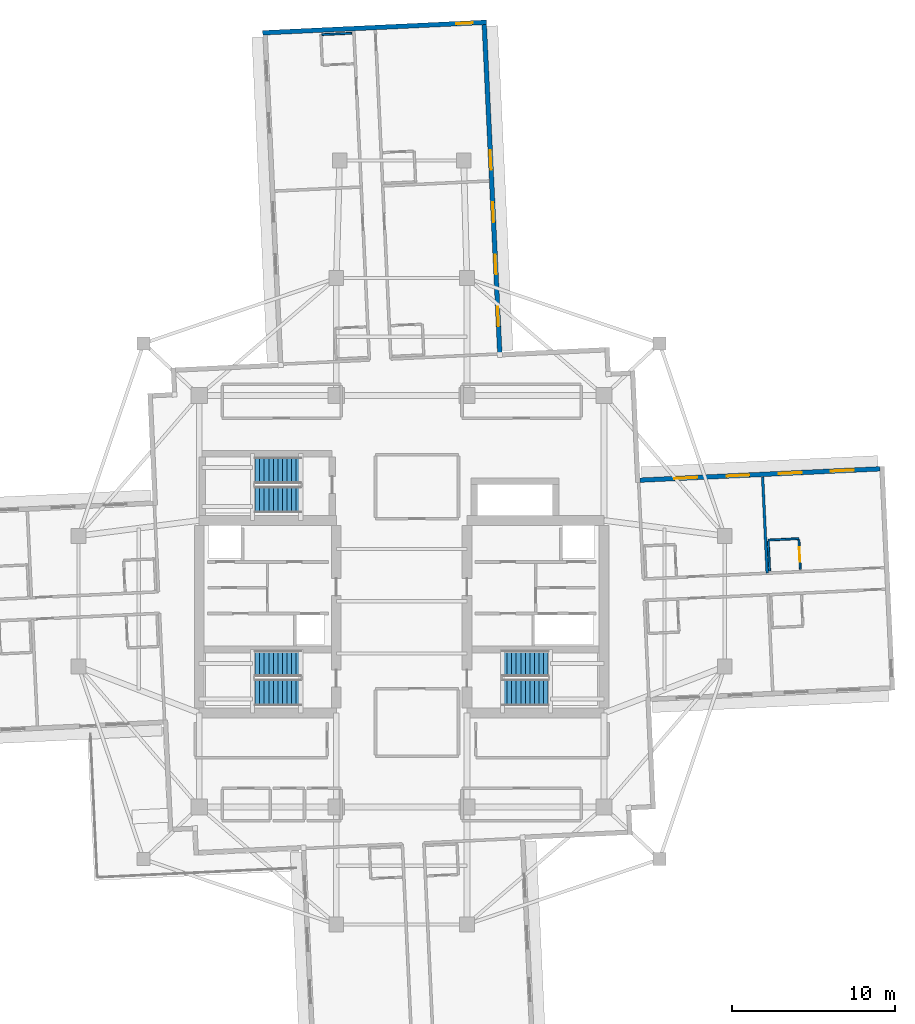
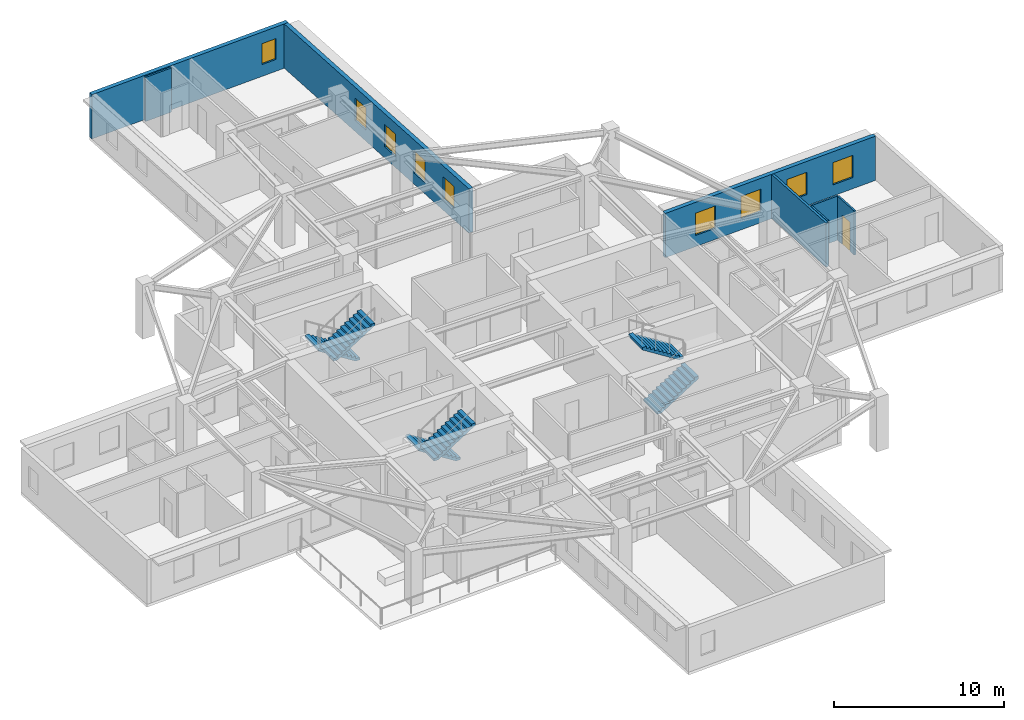
# One storey, part 8 of 12: 9 windows, 8 walls, 6 stair flights, 1 door, 10 openings, 3 elements without a shape of their own.
"""IFC4 building model written with IfcOpenShell, lengths in metres."""

from ifc_helpers import new_model, si_unit, direction, frame, frame_2d, origin, place, context, subcontext, project, spatial, polyline, rectangle, outline, extrude, material, layer, layer_set, type_object, element, fill, aggregate, save


model = new_model("IFC4")

# Units and contexts
model_context = context("Model", 3, precision=1e-05, world=origin(), true_north=direction((0.0, 1.0)))
body_context = subcontext(model_context, "Body", "Model", "MODEL_VIEW")
ifc_project = project(units=[si_unit("LENGTHUNIT", "METRE"), si_unit("AREAUNIT", "SQUARE_METRE"), si_unit("VOLUMEUNIT", "CUBIC_METRE"), si_unit("PLANEANGLEUNIT", "RADIAN"), si_unit("MASSUNIT", "GRAM", prefix="KILO")], contexts=[model_context])

# Site, building, storey
site_placement = place(None, origin())
site = spatial("IfcSite", under=ifc_project, at=site_placement, CompositionType="ELEMENT")
building_placement = place(site_placement, origin())
building = spatial("IfcBuilding", under=site, at=building_placement, Name="Qingluan Cross Belvedere", CompositionType="ELEMENT")
storey_placement = place(building_placement, frame((0.0, 0.0, 213.0)))
storey = spatial("IfcBuildingStorey", under=building, at=storey_placement, Name="L53", CompositionType="ELEMENT", Elevation=213.0)

# Wall
ifc_material_1 = material(Name="Gypsum plasterboard on steel stud acoustic partition", Category="steel")
ifc_layer_1 = layer(ifc_material_1, 0.159912109375, Name="CorridorPartition_160")
ifc_layer_set_1 = layer_set([ifc_layer_1], Name="Gypsum plasterboard on steel stud acoustic partition")
wall_type_1 = type_object("IfcWallType", Name="CorridorPartition_160", PredefinedType="PARTITIONING", material=ifc_layer_set_1)
wall_1_placement = place(storey_placement, frame((22.389892578125, 1.716552734375, 0.0), z_axis=(0.0, 0.0, 1.0), x_axis=(-0.047076607604, 0.99889128188, 0.0)))
element("IfcWall", 1, at=wall_1_placement, inside=storey, type_object=wall_type_1, Name="Partition L53:E:d0_0", PredefinedType="PARTITIONING", context=body_context, shape_type="SweptSolid", body=[
    extrude(rectangle(XDim=5.912109375, YDim=0.159912109375, at=frame_2d((2.9560546875, 0.0))), origin(), (0.0, 0.0, 1.0), 3.169921875),
])

# Wall, opening, door
ifc_material_2 = material(Name="Moisture-resistant gypsum board lining")
ifc_layer_2 = layer(ifc_material_2, 0.1201171875, Name="EnsuiteWetPartition_120")
ifc_layer_set_2 = layer_set([ifc_layer_2], Name="Moisture-resistant gypsum board lining")
wall_type_2 = type_object("IfcWallType", Name="EnsuiteWetPartition_120", PredefinedType="PARTITIONING", material=ifc_layer_set_2)
wall_2_placement = place(storey_placement, frame((24.421142578125, 1.95263671875, 0.0), z_axis=(0.0, 0.0, 1.0), x_axis=(-0.047087116047, 0.998890786574, 0.0)))
wall_2 = element("IfcWall", 2, at=wall_2_placement, inside=storey, type_object=wall_type_2, Name="Partition L53:E:bs0_1", PredefinedType="PARTITIONING", context=body_context, shape_type="SweptSolid", body=[
    extrude(rectangle(XDim=1.81982421875, YDim=0.1201171875, at=frame_2d((0.909912109375, 0.0))), origin(), (0.0, 0.0, 1.0), 3.169921875),
])
opening_1_placement = place(wall_2_placement, frame((0.469970703125, 0.0, 0.0)))
opening_1 = element("IfcOpeningElement", 3, at=opening_1_placement, cuts=wall_2, Name="Opening BD-09", PredefinedType="OPENING", context=body_context, shape_type="SweptSolid", body=[
    extrude(rectangle(XDim=0.8798828125, YDim=2.10009765625, at=frame_2d((0.43994140625, 1.050048828125))), frame((0.0, 0.070068359375, 0.0), z_axis=(0.0, -1.0, 0.0), x_axis=(1.0, 0.0, 0.0)), (0.0, 0.0, 1.0), 0.14013671875),
])
ifc_material_3 = material(Name="Moisture-sealed timber en-suite door", Category="wood")
door_type = type_object("IfcDoorType", Name="BathroomDoor_880", OperationType="NOTDEFINED", PredefinedType="DOOR", material=ifc_material_3)
door_placement = place(opening_1_placement, origin())
door = element("IfcDoor", 4, at=door_placement, inside=storey, type_object=door_type, Name="Bathroom door 5302", OperationType="SINGLE_SWING_LEFT", OverallHeight=2.10009765625, OverallWidth=0.8798828125, PredefinedType="DOOR", context=body_context, shape_type="SweptSolid", body=[
    extrude(rectangle(XDim=0.8798828125, YDim=2.10009765625, at=frame_2d((0.43994140625, 1.050048828125))), frame((0.0, 0.02490234375, 0.0), z_axis=(0.0, -1.0, 0.0), x_axis=(1.0, 0.0, 0.0)), (0.0, 0.0, 1.0), 0.050048828125),
])
fill(opening_1, door)

# Walls
wall_3_placement = place(storey_placement, frame((22.543212890625, 1.864013671875, 0.0), z_axis=(0.0, 0.0, 1.0), x_axis=(-0.047087116047, 0.998890786574, 0.0)))
element("IfcWall", 5, at=wall_3_placement, inside=storey, type_object=wall_type_2, Name="Partition L53:E:bw0_1", PredefinedType="PARTITIONING", context=body_context, shape_type="SweptSolid", body=[
    extrude(rectangle(XDim=1.81982421875, YDim=0.1201171875, at=frame_2d((0.909912109375, 0.0))), origin(), (0.0, 0.0, 1.0), 3.169921875),
])
wall_4_placement = place(storey_placement, frame((22.454345703125, 3.746826171875, 0.0), z_axis=(0.0, 0.0, 1.0), x_axis=(0.998888319371, 0.047139425368, 0.0)))
element("IfcWall", 6, at=wall_4_placement, inside=storey, type_object=wall_type_2, Name="Partition L53:E:bn0_1", PredefinedType="PARTITIONING", context=body_context, shape_type="SweptSolid", body=[
    extrude(rectangle(XDim=1.880126953125, YDim=0.1201171875, at=frame_2d((0.93994140625, 0.0))), origin(), (0.0, 0.0, 1.0), 3.169921875),
])
wall_5_placement = place(storey_placement, frame((-4.88037109375, 34.70849609375, 0.0), z_axis=(0.0, 0.0, 1.0), x_axis=(0.998884467853, 0.047220968666, 0.0)))
element("IfcWall", 7, at=wall_5_placement, inside=storey, type_object=wall_type_2, Name="Partition L53:N:bw1_1", PredefinedType="PARTITIONING", context=body_context, shape_type="SweptSolid", body=[
    extrude(rectangle(XDim=1.81982421875, YDim=0.1201171875, at=frame_2d((0.909912109375, 0.0))), origin(), (0.0, 0.0, 1.0), 3.169921875),
])

# Wall, openings, windows
ifc_material_4 = material(Name="Precast concrete C45", Category="concrete")
ifc_layer_3 = layer(ifc_material_4, 0.280029296875, Name="PrecastFacadeWall_280")
ifc_layer_set_3 = layer_set([ifc_layer_3], Name="Precast concrete C45")
wall_type_3 = type_object("IfcWallType", Name="PrecastFacadeWall_280", PredefinedType="STANDARD", material=ifc_layer_set_3)
wall_6_placement = place(storey_placement, frame((29.29052734375, 8.10888671875, 0.0), z_axis=(0.0, 0.0, 1.0), x_axis=(-0.998889342735, -0.047117735191, 0.0)))
wall_6 = element("IfcWall", 8, at=wall_6_placement, inside=storey, type_object=wall_type_3, Name="Facade wall L53-EB", PredefinedType="STANDARD", context=body_context, shape_type="SweptSolid", body=[
    extrude(rectangle(XDim=14.699951171875, YDim=0.280029296875, at=frame_2d((7.35009765625, 0.0))), origin(), (0.0, 0.0, 1.0), 3.179931640625),
])
opening_2_placement = place(wall_6_placement, frame((1.60009765625, 0.0, 0.800048828125)))
opening_2 = element("IfcOpeningElement", 9, at=opening_2_placement, cuts=wall_6, Name="Opening W-01", PredefinedType="OPENING", context=body_context, shape_type="SweptSolid", body=[
    extrude(rectangle(XDim=1.39990234375, YDim=1.60009765625, at=frame_2d((0.699951171875, 0.800048828125))), frame((0.0, 0.14990234375, 0.0), z_axis=(0.0, -1.0, 0.0), x_axis=(1.0, 0.0, 0.0)), (0.0, 0.0, 1.0), 0.300048828125),
])
opening_3_placement = place(wall_6_placement, frame((4.800048828125, 0.0, 0.800048828125)))
opening_3 = element("IfcOpeningElement", 10, at=opening_3_placement, cuts=wall_6, Name="Opening W-01", PredefinedType="OPENING", context=body_context, shape_type="SweptSolid", body=[
    extrude(rectangle(XDim=1.39990234375, YDim=1.60009765625, at=frame_2d((0.699951171875, 0.800048828125))), frame((0.0, 0.14990234375, 0.0), z_axis=(0.0, -1.0, 0.0), x_axis=(1.0, 0.0, 0.0)), (0.0, 0.0, 1.0), 0.300048828125),
])
opening_4_placement = place(wall_6_placement, frame((8.0, 0.0, 0.800048828125)))
opening_4 = element("IfcOpeningElement", 11, at=opening_4_placement, cuts=wall_6, Name="Opening W-01", PredefinedType="OPENING", context=body_context, shape_type="SweptSolid", body=[
    extrude(rectangle(XDim=1.39990234375, YDim=1.60009765625, at=frame_2d((0.699951171875, 0.800048828125))), frame((0.0, 0.14990234375, 0.0), z_axis=(0.0, -1.0, 0.0), x_axis=(1.0, 0.0, 0.0)), (0.0, 0.0, 1.0), 0.300048828125),
])
opening_5_placement = place(wall_6_placement, frame((11.199951171875, 0.0, 0.800048828125)))
opening_5 = element("IfcOpeningElement", 12, at=opening_5_placement, cuts=wall_6, Name="Opening W-01", PredefinedType="OPENING", context=body_context, shape_type="SweptSolid", body=[
    extrude(rectangle(XDim=1.39990234375, YDim=1.60009765625, at=frame_2d((0.699951171875, 0.800048828125))), frame((0.0, 0.14990234375, 0.0), z_axis=(0.0, -1.0, 0.0), x_axis=(1.0, 0.0, 0.0)), (0.0, 0.0, 1.0), 0.300048828125),
])
ifc_material_5 = material(Name="Thermally broken triple Low-E glass in aluminium frame", Category="aluminium")
window_type_1 = type_object("IfcWindowType", Name="TriRibbonWin_1400x1600", PartitioningType="SINGLE_PANEL", PredefinedType="WINDOW", material=ifc_material_5)
window_1_placement = place(opening_2_placement, origin())
window_1 = element("IfcWindow", 13, at=window_1_placement, inside=storey, type_object=window_type_1, Name="Ribbon window L53-EB-1", OverallHeight=1.60009765625, OverallWidth=1.39990234375, PartitioningType="SINGLE_PANEL", PredefinedType="WINDOW", context=body_context, shape_type="SweptSolid", body=[
    extrude(rectangle(XDim=1.39990234375, YDim=1.60009765625, at=frame_2d((0.699951171875, 0.800048828125))), frame((0.0, 0.030029296875, 0.0), z_axis=(0.0, -1.0, 0.0), x_axis=(1.0, 0.0, 0.0)), (0.0, 0.0, 1.0), 0.06005859375),
])
fill(opening_2, window_1)
window_2_placement = place(opening_3_placement, origin())
window_2 = element("IfcWindow", 14, at=window_2_placement, inside=storey, type_object=window_type_1, Name="Ribbon window L53-EB-2", OverallHeight=1.60009765625, OverallWidth=1.39990234375, PartitioningType="SINGLE_PANEL", PredefinedType="WINDOW", context=body_context, shape_type="SweptSolid", body=[
    extrude(rectangle(XDim=1.39990234375, YDim=1.60009765625, at=frame_2d((0.699951171875, 0.800048828125))), frame((0.0, 0.030029296875, 0.0), z_axis=(0.0, -1.0, 0.0), x_axis=(1.0, 0.0, 0.0)), (0.0, 0.0, 1.0), 0.06005859375),
])
fill(opening_3, window_2)
window_3_placement = place(opening_4_placement, origin())
window_3 = element("IfcWindow", 15, at=window_3_placement, inside=storey, type_object=window_type_1, Name="Ribbon window L53-EB-3", OverallHeight=1.60009765625, OverallWidth=1.39990234375, PartitioningType="SINGLE_PANEL", PredefinedType="WINDOW", context=body_context, shape_type="SweptSolid", body=[
    extrude(rectangle(XDim=1.39990234375, YDim=1.60009765625, at=frame_2d((0.699951171875, 0.800048828125))), frame((0.0, 0.030029296875, 0.0), z_axis=(0.0, -1.0, 0.0), x_axis=(1.0, 0.0, 0.0)), (0.0, 0.0, 1.0), 0.06005859375),
])
fill(opening_4, window_3)
window_4_placement = place(opening_5_placement, origin())
window_4 = element("IfcWindow", 16, at=window_4_placement, inside=storey, type_object=window_type_1, Name="Ribbon window L53-EB-4", OverallHeight=1.60009765625, OverallWidth=1.39990234375, PartitioningType="SINGLE_PANEL", PredefinedType="WINDOW", context=body_context, shape_type="SweptSolid", body=[
    extrude(rectangle(XDim=1.39990234375, YDim=1.60009765625, at=frame_2d((0.699951171875, 0.800048828125))), frame((0.0, 0.030029296875, 0.0), z_axis=(0.0, -1.0, 0.0), x_axis=(1.0, 0.0, 0.0)), (0.0, 0.0, 1.0), 0.06005859375),
])
fill(opening_5, window_4)

wall_7_placement = place(storey_placement, frame((6.0087890625, 15.239990234375, 0.0), z_axis=(0.0, 0.0, 1.0), x_axis=(-0.047103473814, 0.998890015344, 0.0)))
wall_7 = element("IfcWall", 17, at=wall_7_placement, inside=storey, type_object=wall_type_3, Name="Facade wall L53-NA", PredefinedType="STANDARD", context=body_context, shape_type="SweptSolid", body=[
    extrude(rectangle(XDim=20.099853515625, YDim=0.280029296875, at=frame_2d((10.0498046875, 0.0))), origin(), (0.0, 0.0, 1.0), 3.179931640625),
])
opening_6_placement = place(wall_7_placement, frame((1.60009765625, 0.0, 0.800048828125)))
opening_6 = element("IfcOpeningElement", 18, at=opening_6_placement, cuts=wall_7, Name="Opening W-02", PredefinedType="OPENING", context=body_context, shape_type="SweptSolid", body=[
    extrude(rectangle(XDim=1.199951171875, YDim=1.60009765625, at=frame_2d((0.60009765625, 0.800048828125))), frame((0.0, 0.14990234375, 0.0), z_axis=(0.0, -1.0, 0.0), x_axis=(1.0, 0.0, 0.0)), (0.0, 0.0, 1.0), 0.300048828125),
])
opening_7_placement = place(wall_7_placement, frame((4.800048828125, 0.0, 0.800048828125)))
opening_7 = element("IfcOpeningElement", 19, at=opening_7_placement, cuts=wall_7, Name="Opening W-02", PredefinedType="OPENING", context=body_context, shape_type="SweptSolid", body=[
    extrude(rectangle(XDim=1.199951171875, YDim=1.60009765625, at=frame_2d((0.60009765625, 0.800048828125))), frame((0.0, 0.14990234375, 0.0), z_axis=(0.0, -1.0, 0.0), x_axis=(1.0, 0.0, 0.0)), (0.0, 0.0, 1.0), 0.300048828125),
])
opening_8_placement = place(wall_7_placement, frame((8.0, 0.0, 0.800048828125)))
opening_8 = element("IfcOpeningElement", 20, at=opening_8_placement, cuts=wall_7, Name="Opening W-02", PredefinedType="OPENING", context=body_context, shape_type="SweptSolid", body=[
    extrude(rectangle(XDim=1.199951171875, YDim=1.60009765625, at=frame_2d((0.60009765625, 0.800048828125))), frame((0.0, 0.14990234375, 0.0), z_axis=(0.0, -1.0, 0.0), x_axis=(1.0, 0.0, 0.0)), (0.0, 0.0, 1.0), 0.300048828125),
])
opening_9_placement = place(wall_7_placement, frame((11.199951171875, 0.0, 0.800048828125)))
opening_9 = element("IfcOpeningElement", 21, at=opening_9_placement, cuts=wall_7, Name="Opening W-02", PredefinedType="OPENING", context=body_context, shape_type="SweptSolid", body=[
    extrude(rectangle(XDim=1.199951171875, YDim=1.60009765625, at=frame_2d((0.60009765625, 0.800048828125))), frame((0.0, 0.14990234375, 0.0), z_axis=(0.0, -1.0, 0.0), x_axis=(1.0, 0.0, 0.0)), (0.0, 0.0, 1.0), 0.300048828125),
])
ifc_material_6 = material(Name="Thermally broken triple Low-E glass in aluminium frame", Category="aluminium")
window_type_2 = type_object("IfcWindowType", Name="TriRibbonWin_1200x1600", PartitioningType="SINGLE_PANEL", PredefinedType="WINDOW", material=ifc_material_6)
window_5_placement = place(opening_6_placement, origin())
window_5 = element("IfcWindow", 22, at=window_5_placement, inside=storey, type_object=window_type_2, Name="Ribbon window L53-NA-1", OverallHeight=1.60009765625, OverallWidth=1.199951171875, PartitioningType="SINGLE_PANEL", PredefinedType="WINDOW", context=body_context, shape_type="SweptSolid", body=[
    extrude(rectangle(XDim=1.199951171875, YDim=1.60009765625, at=frame_2d((0.60009765625, 0.800048828125))), frame((0.0, 0.030029296875, 0.0), z_axis=(0.0, -1.0, 0.0), x_axis=(1.0, 0.0, 0.0)), (0.0, 0.0, 1.0), 0.06005859375),
])
fill(opening_6, window_5)
window_6_placement = place(opening_7_placement, origin())
window_6 = element("IfcWindow", 23, at=window_6_placement, inside=storey, type_object=window_type_2, Name="Ribbon window L53-NA-2", OverallHeight=1.60009765625, OverallWidth=1.199951171875, PartitioningType="SINGLE_PANEL", PredefinedType="WINDOW", context=body_context, shape_type="SweptSolid", body=[
    extrude(rectangle(XDim=1.199951171875, YDim=1.60009765625, at=frame_2d((0.60009765625, 0.800048828125))), frame((0.0, 0.030029296875, 0.0), z_axis=(0.0, -1.0, 0.0), x_axis=(1.0, 0.0, 0.0)), (0.0, 0.0, 1.0), 0.06005859375),
])
fill(opening_7, window_6)
window_7_placement = place(opening_8_placement, origin())
window_7 = element("IfcWindow", 24, at=window_7_placement, inside=storey, type_object=window_type_2, Name="Ribbon window L53-NA-3", OverallHeight=1.60009765625, OverallWidth=1.199951171875, PartitioningType="SINGLE_PANEL", PredefinedType="WINDOW", context=body_context, shape_type="SweptSolid", body=[
    extrude(rectangle(XDim=1.199951171875, YDim=1.60009765625, at=frame_2d((0.60009765625, 0.800048828125))), frame((0.0, 0.030029296875, 0.0), z_axis=(0.0, -1.0, 0.0), x_axis=(1.0, 0.0, 0.0)), (0.0, 0.0, 1.0), 0.06005859375),
])
fill(opening_8, window_7)
window_8_placement = place(opening_9_placement, origin())
window_8 = element("IfcWindow", 25, at=window_8_placement, inside=storey, type_object=window_type_2, Name="Ribbon window L53-NA-4", OverallHeight=1.60009765625, OverallWidth=1.199951171875, PartitioningType="SINGLE_PANEL", PredefinedType="WINDOW", context=body_context, shape_type="SweptSolid", body=[
    extrude(rectangle(XDim=1.199951171875, YDim=1.60009765625, at=frame_2d((0.60009765625, 0.800048828125))), frame((0.0, 0.030029296875, 0.0), z_axis=(0.0, -1.0, 0.0), x_axis=(1.0, 0.0, 0.0)), (0.0, 0.0, 1.0), 0.06005859375),
])
fill(opening_9, window_8)

# Wall, opening, window
wall_8_placement = place(storey_placement, frame((5.1953125, 35.464111328125, 0.0), z_axis=(0.0, 0.0, 1.0), x_axis=(-0.998890092147, -0.047101845086, 0.0)))
wall_8 = element("IfcWall", 26, at=wall_8_placement, inside=storey, type_object=wall_type_3, Name="Arm tip precast facade wall L53-N", PredefinedType="STANDARD", context=body_context, shape_type="SweptSolid", body=[
    extrude(rectangle(XDim=13.719970703125, YDim=0.280029296875, at=frame_2d((6.85986328125, 0.0))), origin(), (0.0, 0.0, 1.0), 3.179931640625),
])
opening_10_placement = place(wall_8_placement, frame((0.85009765625, 0.0, 0.85009765625)))
opening_10 = element("IfcOpeningElement", 27, at=opening_10_placement, cuts=wall_8, Name="Opening W-03", PredefinedType="OPENING", context=body_context, shape_type="SweptSolid", body=[
    extrude(rectangle(XDim=1.0, YDim=1.5, at=frame_2d((0.5, 0.75))), frame((0.0, 0.14990234375, 0.0), z_axis=(0.0, -1.0, 0.0), x_axis=(1.0, 0.0, 0.0)), (0.0, 0.0, 1.0), 0.300048828125),
])
ifc_material_7 = material(Name="Thermally broken triple Low-E glass in aluminium frame", Category="aluminium")
window_type_3 = type_object("IfcWindowType", Name="TriApexWin_1000x1500", PartitioningType="SINGLE_PANEL", PredefinedType="WINDOW", material=ifc_material_7)
window_9_placement = place(opening_10_placement, origin())
window_9 = element("IfcWindow", 28, at=window_9_placement, inside=storey, type_object=window_type_3, Name="Arm tip triangular window L53-N", OverallHeight=1.5, OverallWidth=1.0, PartitioningType="SINGLE_PANEL", PredefinedType="WINDOW", context=body_context, shape_type="SweptSolid", body=[
    extrude(rectangle(XDim=1.0, YDim=1.5, at=frame_2d((0.5, 0.75))), frame((0.0, 0.030029296875, 0.0), z_axis=(0.0, -1.0, 0.0), x_axis=(1.0, 0.0, 0.0)), (0.0, 0.0, 1.0), 0.06005859375),
])
fill(opening_10, window_9)

# Stair, stair flights
ifc_material_8 = material(Name="Concrete C40", Category="concrete")
stair_type = type_object("IfcStairType", Name="CoreDoglegStair_1620", PredefinedType="HALF_TURN_STAIR", material=ifc_material_8)
stair_1_placement = place(storey_placement, origin())
stair_1 = element("IfcStair", 29, at=stair_1_placement, inside=storey, type_object=stair_type, Name="L53 ST1", PredefinedType="HALF_TURN_STAIR")
ifc_material_9 = material(Name="Concrete C40", Category="concrete")
ifc_layer_4 = layer(ifc_material_9, 0.179931640625, Name="StairFlight_RC180")
ifc_layer_set_4 = layer_set([ifc_layer_4], Name="Concrete C40")
stair_flight_type = type_object("IfcStairFlightType", Name="StairFlight_RC180", PredefinedType="STRAIGHT", material=ifc_layer_set_4)
stair_flight_1_placement = place(storey_placement, frame((-6.179931640625, -3.81005859375, 0.0), z_axis=(0.0, 0.0, 1.0), x_axis=(-1.0, 0.0, 0.0)))
stair_flight_1 = element("IfcStairFlight", 30, at=stair_flight_1_placement, type_object=stair_flight_type, Name="ST1 flight 1", NumberOfRisers=11, NumberOfTreads=10, PredefinedType="STRAIGHT", RiserHeight=0.177272727, TreadLength=0.28, context=body_context, shape_type="SweptSolid", body=[
    extrude(outline(polyline([(0.0, 0.0), (0.0, 0.17724609375), (0.280029296875, 0.17724609375), (0.280029296875, 0.3544921875), (0.56005859375, 0.3544921875), (0.56005859375, 0.53173828125), (0.840087890625, 0.53173828125), (0.840087890625, 0.708984375), (1.1201171875, 0.708984375), (1.1201171875, 0.886474609375), (1.39990234375, 0.886474609375), (1.39990234375, 1.063720703125), (1.679931640625, 1.063720703125), (1.679931640625, 1.240966796875), (1.9599609375, 1.240966796875), (1.9599609375, 1.418212890625), (2.239990234375, 1.418212890625), (2.239990234375, 1.595458984375), (2.52001953125, 1.595458984375), (2.52001953125, 1.772705078125), (2.800048828125, 1.772705078125), (2.800048828125, 1.949951171875), (2.800048828125, 1.59521484375), (0.2802734375, 0.0), (0.0, 0.0)])), frame((0.0, 0.81005859375, 0.0), z_axis=(0.0, -1.0, 0.0), x_axis=(1.0, 0.0, 0.0)), (0.0, 0.0, 1.0), 1.6201171875),
])
stair_flight_2_placement = place(storey_placement, frame((-8.97998046875, -5.590087890625, 1.949951171875), z_axis=(0.0, 0.0, 1.0), x_axis=(1.0, 0.0, 0.0)))
stair_flight_2 = element("IfcStairFlight", 31, at=stair_flight_2_placement, type_object=stair_flight_type, Name="ST1 flight 2", NumberOfRisers=11, NumberOfTreads=10, PredefinedType="STRAIGHT", RiserHeight=0.177272727, TreadLength=0.28, context=body_context, shape_type="SweptSolid", body=[
    extrude(outline(polyline([(0.0, 0.0), (0.0, 0.17724609375), (0.280029296875, 0.17724609375), (0.280029296875, 0.3544921875), (0.56005859375, 0.3544921875), (0.56005859375, 0.53173828125), (0.840087890625, 0.53173828125), (0.840087890625, 0.708984375), (1.1201171875, 0.708984375), (1.1201171875, 0.886474609375), (1.39990234375, 0.886474609375), (1.39990234375, 1.063720703125), (1.679931640625, 1.063720703125), (1.679931640625, 1.240966796875), (1.9599609375, 1.240966796875), (1.9599609375, 1.418212890625), (2.239990234375, 1.418212890625), (2.239990234375, 1.595458984375), (2.52001953125, 1.595458984375), (2.52001953125, 1.772705078125), (2.800048828125, 1.772705078125), (2.800048828125, 1.949951171875), (2.800048828125, 1.59521484375), (0.2802734375, 0.0), (0.0, 0.0)])), frame((0.0, 0.81005859375, 0.0), z_axis=(0.0, -1.0, 0.0), x_axis=(1.0, 0.0, 0.0)), (0.0, 0.0, 1.0), 1.6201171875),
])
aggregate(stair_1, [stair_flight_1, stair_flight_2])

stair_2_placement = place(storey_placement, origin())
stair_2 = element("IfcStair", 32, at=stair_2_placement, inside=storey, type_object=stair_type, Name="L53 ST2", PredefinedType="HALF_TURN_STAIR")
stair_flight_3_placement = place(storey_placement, frame((6.179931640625, -5.590087890625, 0.0), z_axis=(0.0, 0.0, 1.0), x_axis=(1.0, 0.0, 0.0)))
stair_flight_3 = element("IfcStairFlight", 33, at=stair_flight_3_placement, type_object=stair_flight_type, Name="ST2 flight 1", NumberOfRisers=11, NumberOfTreads=10, PredefinedType="STRAIGHT", RiserHeight=0.177272727, TreadLength=0.28, context=body_context, shape_type="SweptSolid", body=[
    extrude(outline(polyline([(0.0, 0.0), (0.0, 0.17724609375), (0.280029296875, 0.17724609375), (0.280029296875, 0.3544921875), (0.56005859375, 0.3544921875), (0.56005859375, 0.53173828125), (0.840087890625, 0.53173828125), (0.840087890625, 0.708984375), (1.1201171875, 0.708984375), (1.1201171875, 0.886474609375), (1.39990234375, 0.886474609375), (1.39990234375, 1.063720703125), (1.679931640625, 1.063720703125), (1.679931640625, 1.240966796875), (1.9599609375, 1.240966796875), (1.9599609375, 1.418212890625), (2.239990234375, 1.418212890625), (2.239990234375, 1.595458984375), (2.52001953125, 1.595458984375), (2.52001953125, 1.772705078125), (2.800048828125, 1.772705078125), (2.800048828125, 1.949951171875), (2.800048828125, 1.59521484375), (0.2802734375, 0.0), (0.0, 0.0)])), frame((0.0, 0.81005859375, 0.0), z_axis=(0.0, -1.0, 0.0), x_axis=(1.0, 0.0, 0.0)), (0.0, 0.0, 1.0), 1.6201171875),
])
stair_flight_4_placement = place(storey_placement, frame((8.97998046875, -3.81005859375, 1.949951171875), z_axis=(0.0, 0.0, 1.0), x_axis=(-1.0, 0.0, 0.0)))
stair_flight_4 = element("IfcStairFlight", 34, at=stair_flight_4_placement, type_object=stair_flight_type, Name="ST2 flight 2", NumberOfRisers=11, NumberOfTreads=10, PredefinedType="STRAIGHT", RiserHeight=0.177272727, TreadLength=0.28, context=body_context, shape_type="SweptSolid", body=[
    extrude(outline(polyline([(0.0, 0.0), (0.0, 0.17724609375), (0.280029296875, 0.17724609375), (0.280029296875, 0.3544921875), (0.56005859375, 0.3544921875), (0.56005859375, 0.53173828125), (0.840087890625, 0.53173828125), (0.840087890625, 0.708984375), (1.1201171875, 0.708984375), (1.1201171875, 0.886474609375), (1.39990234375, 0.886474609375), (1.39990234375, 1.063720703125), (1.679931640625, 1.063720703125), (1.679931640625, 1.240966796875), (1.9599609375, 1.240966796875), (1.9599609375, 1.418212890625), (2.239990234375, 1.418212890625), (2.239990234375, 1.595458984375), (2.52001953125, 1.595458984375), (2.52001953125, 1.772705078125), (2.800048828125, 1.772705078125), (2.800048828125, 1.949951171875), (2.800048828125, 1.59521484375), (0.2802734375, 0.0), (0.0, 0.0)])), frame((0.0, 0.81005859375, 0.0), z_axis=(0.0, -1.0, 0.0), x_axis=(1.0, 0.0, 0.0)), (0.0, 0.0, 1.0), 1.6201171875),
])
aggregate(stair_2, [stair_flight_3, stair_flight_4])

stair_3_placement = place(storey_placement, origin())
stair_3 = element("IfcStair", 35, at=stair_3_placement, inside=storey, type_object=stair_type, Name="L53 ST3", PredefinedType="HALF_TURN_STAIR")
stair_flight_5_placement = place(storey_placement, frame((-6.179931640625, 8.010009765625, 0.0), z_axis=(0.0, 0.0, 1.0), x_axis=(-1.0, 0.0, 0.0)))
stair_flight_5 = element("IfcStairFlight", 36, at=stair_flight_5_placement, type_object=stair_flight_type, Name="ST3 flight 1", NumberOfRisers=11, NumberOfTreads=10, PredefinedType="STRAIGHT", RiserHeight=0.177272727, TreadLength=0.28, context=body_context, shape_type="SweptSolid", body=[
    extrude(outline(polyline([(0.0, 0.0), (0.0, 0.17724609375), (0.280029296875, 0.17724609375), (0.280029296875, 0.3544921875), (0.56005859375, 0.3544921875), (0.56005859375, 0.53173828125), (0.840087890625, 0.53173828125), (0.840087890625, 0.708984375), (1.1201171875, 0.708984375), (1.1201171875, 0.886474609375), (1.39990234375, 0.886474609375), (1.39990234375, 1.063720703125), (1.679931640625, 1.063720703125), (1.679931640625, 1.240966796875), (1.9599609375, 1.240966796875), (1.9599609375, 1.418212890625), (2.239990234375, 1.418212890625), (2.239990234375, 1.595458984375), (2.52001953125, 1.595458984375), (2.52001953125, 1.772705078125), (2.800048828125, 1.772705078125), (2.800048828125, 1.949951171875), (2.800048828125, 1.59521484375), (0.2802734375, 0.0), (0.0, 0.0)])), frame((0.0, 0.81005859375, 0.0), z_axis=(0.0, -1.0, 0.0), x_axis=(1.0, 0.0, 0.0)), (0.0, 0.0, 1.0), 1.6201171875),
])
stair_flight_6_placement = place(storey_placement, frame((-8.97998046875, 6.22998046875, 1.949951171875), z_axis=(0.0, 0.0, 1.0), x_axis=(1.0, 0.0, 0.0)))
stair_flight_6 = element("IfcStairFlight", 37, at=stair_flight_6_placement, type_object=stair_flight_type, Name="ST3 flight 2", NumberOfRisers=11, NumberOfTreads=10, PredefinedType="STRAIGHT", RiserHeight=0.177272727, TreadLength=0.28, context=body_context, shape_type="SweptSolid", body=[
    extrude(outline(polyline([(0.0, 0.0), (0.0, 0.17724609375), (0.280029296875, 0.17724609375), (0.280029296875, 0.3544921875), (0.56005859375, 0.3544921875), (0.56005859375, 0.53173828125), (0.840087890625, 0.53173828125), (0.840087890625, 0.708984375), (1.1201171875, 0.708984375), (1.1201171875, 0.886474609375), (1.39990234375, 0.886474609375), (1.39990234375, 1.063720703125), (1.679931640625, 1.063720703125), (1.679931640625, 1.240966796875), (1.9599609375, 1.240966796875), (1.9599609375, 1.418212890625), (2.239990234375, 1.418212890625), (2.239990234375, 1.595458984375), (2.52001953125, 1.595458984375), (2.52001953125, 1.772705078125), (2.800048828125, 1.772705078125), (2.800048828125, 1.949951171875), (2.800048828125, 1.59521484375), (0.2802734375, 0.0), (0.0, 0.0)])), frame((0.0, 0.81005859375, 0.0), z_axis=(0.0, -1.0, 0.0), x_axis=(1.0, 0.0, 0.0)), (0.0, 0.0, 1.0), 1.6201171875),
])
aggregate(stair_3, [stair_flight_5, stair_flight_6])

save(model, "model.ifc")
